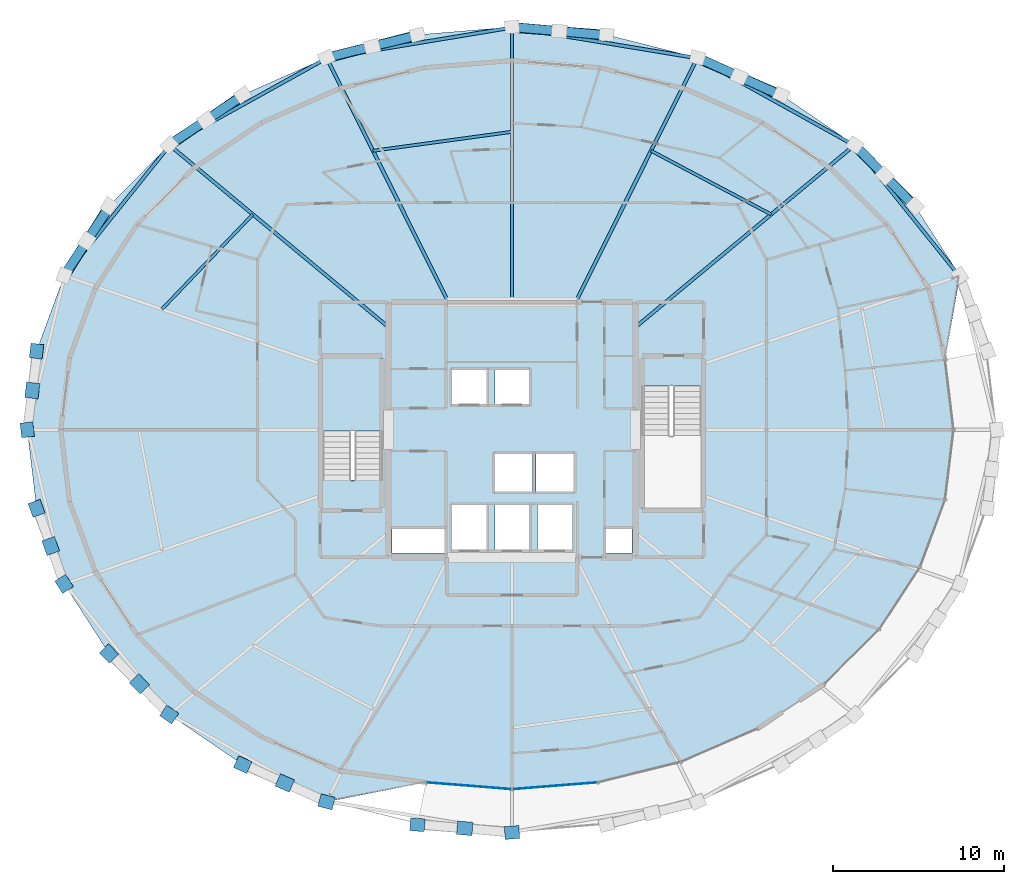
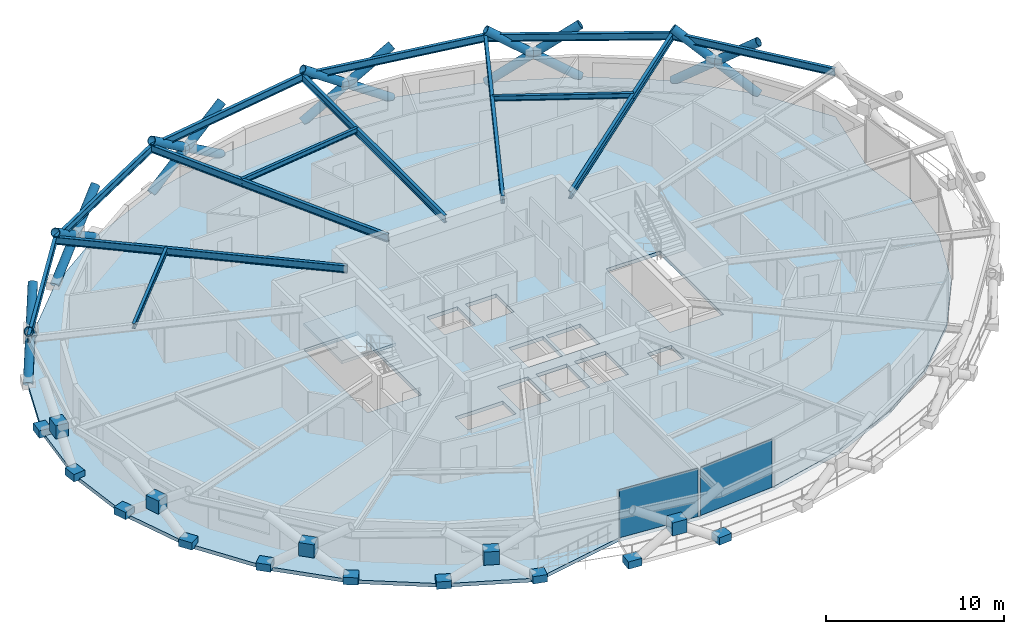
# One storey, part 13 of 20: 18 members, 17 plates, 14 beams, 2 slabs, 2 elements without a shape of their own.
"""IFC4 building model written with IfcOpenShell, lengths in metres."""

import ifcopenshell
import ifcopenshell.guid

model = None  # the IFC model being written
_history = None  # IfcOwnerHistory: only IFC2X3 demands one
_inside = {}  # id of a spatial element -> (the spatial element, [elements in it])
_under = {}  # id of a project, library or spatial element -> (it, [spatial elements below it])
_declared = {}  # id of a project -> (the project, [libraries it declares])
_typed = {}  # id of a type object -> (the type object, [elements of that type])
_made_of = {}  # id of a material, layer set ... -> (it, [elements and type objects made of it])


def new_model(schema):
    """Start an empty IFC model of exactly this schema.

    Asked for "IFC4X3", IfcOpenShell would pick the latest addendum, in which some entities
    have other attributes; the version numbers below select the first issue.
    IFC2X3 requires an IfcOwnerHistory on every rooted entity: one is made here for all.
    """
    global model, _history
    if schema == "IFC4X3":
        model = ifcopenshell.file(schema_version=(4, 3, 0, 0))
    else:
        model = ifcopenshell.file(schema=schema)
    _inside.clear()
    _under.clear()
    _declared.clear()
    _typed.clear()
    _made_of.clear()
    _history = None
    if model.schema == "IFC2X3":
        org = make("IfcOrganization", Name="unknown")
        user = make(
            "IfcPersonAndOrganization",
            ThePerson=make("IfcPerson", FamilyName="unknown"),
            TheOrganization=org,
        )
        app = make(
            "IfcApplication",
            ApplicationDeveloper=org,
            Version="unknown",
            ApplicationFullName="unknown",
            ApplicationIdentifier="unknown",
        )
        _history = make(
            "IfcOwnerHistory",
            OwningUser=user,
            OwningApplication=app,
            ChangeAction="ADDED",
            CreationDate=0,
        )
    return model


def make(cls, **values):
    """One entity of the class cls with the attributes given. An attribute that is None is left unset."""
    return model.create_entity(
        cls, **{name: value for name, value in values.items() if value is not None}
    )


def rooted(cls, **values):
    """An entity with a GlobalId (a new one), such as an element, a storey or a relation."""
    return make(cls, GlobalId=ifcopenshell.guid.new(), OwnerHistory=_history, **values)


def si_unit(unit_type, name, prefix=None):
    """IfcSIUnit, for example si_unit("LENGTHUNIT", "METRE", prefix="MILLI")."""
    return make("IfcSIUnit", UnitType=unit_type, Prefix=prefix, Name=name)


def assignment(units):
    """IfcUnitAssignment: the units of a project."""
    return None if units is None else make("IfcUnitAssignment", Units=units)


def point(xyz):
    """IfcCartesianPoint."""
    return None if xyz is None else make("IfcCartesianPoint", Coordinates=xyz)


def direction(xyz):
    """IfcDirection."""
    return None if xyz is None else make("IfcDirection", DirectionRatios=xyz)


def frame(location, z_axis=None, x_axis=None):
    """IfcAxis2Placement3D, a coordinate frame: its origin and axes. An axis left out is left unset."""
    return make(
        "IfcAxis2Placement3D",
        Location=point(location),
        Axis=direction(z_axis),
        RefDirection=direction(x_axis),
    )


def frame_2d(location, x_axis=None):
    """IfcAxis2Placement2D, a coordinate frame in the plane: its origin and x axis."""
    return make(
        "IfcAxis2Placement2D", Location=point(location), RefDirection=direction(x_axis)
    )


def origin():
    """The frame at (0, 0, 0) with its axes left unset."""
    return frame((0.0, 0.0, 0.0))


def origin_2d():
    """The frame at (0, 0) in the plane with its x axis left unset."""
    return frame_2d((0.0, 0.0))


def place(relative_to, where):
    """IfcLocalPlacement: puts the frame where relative to a parent placement (None: the world)."""
    return make(
        "IfcLocalPlacement", PlacementRelTo=relative_to, RelativePlacement=where
    )


def context(
    kind, dimensions, precision=None, world=None, true_north=None, identifier=None
):
    """IfcGeometricRepresentationContext, for example the 3D "Model" context."""
    return make(
        "IfcGeometricRepresentationContext",
        ContextIdentifier=identifier,
        ContextType=kind,
        CoordinateSpaceDimension=dimensions,
        Precision=precision,
        WorldCoordinateSystem=world,
        TrueNorth=true_north,
    )


def subcontext(parent, identifier, kind, view, scale=None):
    """IfcGeometricRepresentationSubContext, for example "Body" below "Model"."""
    return make(
        "IfcGeometricRepresentationSubContext",
        ContextIdentifier=identifier,
        ContextType=kind,
        ParentContext=parent,
        TargetScale=scale,
        TargetView=view,
    )


def project(units=None, contexts=None):
    """IfcProject with its units and contexts."""
    return rooted(
        "IfcProject",
        Name="project",
        RepresentationContexts=contexts,
        UnitsInContext=assignment(units),
    )


def spatial(cls, under=None, at=None, **own):
    """A site, building, storey or space (cls), placed at a placement, below another one or the project."""
    s = rooted(cls, ObjectPlacement=at, **own)
    if under is not None:
        _under.setdefault(under.id(), (under, []))[1].append(s)
    return s


def polyline(points):
    """IfcPolyline through the points."""
    return make("IfcPolyline", Points=[point(p) for p in points])


def profile(cls, at=None, kind="AREA", **sizes):
    """A parametric profile (cls). Its sizes go by their IFC names, for example OverallWidth=200.0."""
    return make(cls, ProfileType=kind, Position=at, **sizes)


def rectangle(**sizes):
    """IfcRectangleProfileDef."""
    return profile("IfcRectangleProfileDef", **sizes)


def hollow_circle(**sizes):
    """IfcCircleHollowProfileDef."""
    return profile("IfcCircleHollowProfileDef", **sizes)


def i_section(**sizes):
    """IfcIShapeProfileDef."""
    return profile("IfcIShapeProfileDef", **sizes)


def outline(outer, holes=None, kind="AREA"):
    """IfcArbitraryClosedProfileDef: a profile drawn as a closed curve; with holes, ...WithVoids."""
    if holes is None:
        return make("IfcArbitraryClosedProfileDef", ProfileType=kind, OuterCurve=outer)
    return make(
        "IfcArbitraryProfileDefWithVoids",
        ProfileType=kind,
        OuterCurve=outer,
        InnerCurves=holes,
    )


def extrude(swept, where, along, depth):
    """IfcExtrudedAreaSolid: the profile swept, set in the frame where, extruded along a direction by depth."""
    return make(
        "IfcExtrudedAreaSolid",
        SweptArea=swept,
        Position=where,
        ExtrudedDirection=direction(along),
        Depth=depth,
    )


def shape(context_of_items, identifier, shape_type, items):
    """IfcShapeRepresentation: the items that make up one representation, for example the "Body"."""
    return make(
        "IfcShapeRepresentation",
        ContextOfItems=context_of_items,
        RepresentationIdentifier=identifier,
        RepresentationType=shape_type,
        Items=items,
    )


def material(Name=None, Category=None):
    """IfcMaterial."""
    return make("IfcMaterial", Name=Name, Category=Category)


def layer(
    of_material, thickness, ventilated=None, Name=None, Category=None, Priority=None
):
    """IfcMaterialLayer: one layer of a wall or slab, of a material (None: an air gap)."""
    return make(
        "IfcMaterialLayer",
        Material=of_material,
        LayerThickness=thickness,
        IsVentilated=ventilated,
        Name=Name,
        Category=Category,
        Priority=Priority,
    )


def layer_set(layers, Name=None):
    """IfcMaterialLayerSet."""
    return make("IfcMaterialLayerSet", MaterialLayers=layers, LayerSetName=Name)


def material_profile(
    of_material, cross_section, Name=None, Category=None, Priority=None
):
    """IfcMaterialProfile: a cross section and its material."""
    return make(
        "IfcMaterialProfile",
        Name=Name,
        Material=of_material,
        Profile=cross_section,
        Priority=Priority,
        Category=Category,
    )


def profile_set(profiles, Name=None, composite=None):
    """IfcMaterialProfileSet."""
    return make(
        "IfcMaterialProfileSet",
        Name=Name,
        MaterialProfiles=profiles,
        CompositeProfile=composite,
    )


def made_of(thing, what):
    """Note that an element or type object is made of a material, layer set ...; save() writes the relation."""
    if what is not None:
        _made_of.setdefault(what.id(), (what, []))[1].append(thing)
    return thing


def type_object(cls, material=None, **own):
    """A type object (cls), such as IfcWallType, which elements share."""
    return made_of(rooted(cls, **own), material)


def element(
    cls,
    number,
    at=None,
    inside=None,
    cuts=None,
    type_object=None,
    material=None,
    context=None,
    identifier="Body",
    shape_type=None,
    held_by="IfcProductDefinitionShape",
    body=None,
    shapes=None,
    **own,
):
    """One element of the class cls, such as IfcWall. Its Tag is "e" and its number.

    at: its placement. inside: the storey or other place that contains it. cuts: it is an
    opening in that element (IfcRelVoidsElement). A single representation is given by context,
    identifier, shape_type and body (its items); several are given by shapes. held_by: the class
    of the entity that holds the representations. save() writes the other relations.
    """
    e = rooted(cls, Tag="e%d" % number, ObjectPlacement=at, **own)
    if body is not None:
        shapes = [shape(context, identifier, shape_type, body)]
    if shapes is not None:
        e.Representation = make(held_by, Representations=shapes)
    if inside is not None:
        _inside.setdefault(inside.id(), (inside, []))[1].append(e)
    if cuts is not None:
        rooted(
            "IfcRelVoidsElement", RelatingBuildingElement=cuts, RelatedOpeningElement=e
        )
    if type_object is not None:
        _typed.setdefault(type_object.id(), (type_object, []))[1].append(e)
    return made_of(e, material)


def aggregate(whole, parts):
    """IfcRelAggregates: a whole, such as a stair, and the parts it consists of."""
    return rooted("IfcRelAggregates", RelatingObject=whole, RelatedObjects=parts)


def save(model, path):
    """Write the relations noted so far, then the file.

    IfcRelAggregates (storeys below a building ...), IfcRelContainedInSpatialStructure (elements
    in a storey), IfcRelDefinesByType, IfcRelAssociatesMaterial and IfcRelDeclares: one each for
    every whole, place, type object, material and project.
    """
    for whole, parts in _under.values():
        aggregate(whole, parts)
    for where, things in _inside.values():
        rooted(
            "IfcRelContainedInSpatialStructure",
            RelatedElements=things,
            RelatingStructure=where,
        )
    for kind, things in _typed.values():
        rooted("IfcRelDefinesByType", RelatedObjects=things, RelatingType=kind)
    for what, things in _made_of.values():
        rooted("IfcRelAssociatesMaterial", RelatedObjects=things, RelatingMaterial=what)
    for by, libraries in _declared.values():
        rooted("IfcRelDeclares", RelatingContext=by, RelatedDefinitions=libraries)
    model.write(path)


model = new_model("IFC4")

# Units and contexts
model_context = context("Model", 3, precision=1e-05, world=origin(), true_north=direction((0.0, 1.0)))
body_context = subcontext(model_context, "Body", "Model", "MODEL_VIEW")
ifc_project = project(units=[si_unit("LENGTHUNIT", "METRE"), si_unit("AREAUNIT", "SQUARE_METRE"), si_unit("VOLUMEUNIT", "CUBIC_METRE"), si_unit("PLANEANGLEUNIT", "RADIAN"), si_unit("MASSUNIT", "GRAM", prefix="KILO")], contexts=[model_context])

# Site, building, storey
site_placement = place(None, origin())
site = spatial("IfcSite", under=ifc_project, at=site_placement, CompositionType="ELEMENT")
building_placement = place(site_placement, origin())
building = spatial("IfcBuilding", under=site, at=building_placement, Name="Veldorina Hangang Commons", CompositionType="ELEMENT")
storey_placement = place(building_placement, frame((0.0, 0.0, 153.199951171875)))
storey = spatial("IfcBuildingStorey", under=building, at=storey_placement, Name="L39", CompositionType="ELEMENT", Elevation=153.199951171875)

# Beams
ifc_material_1 = material(Name="Steel SM420-TMC", Category="steel")
ifc_material_profile_1 = material_profile(ifc_material_1, i_section(OverallWidth=0.199951171875, OverallDepth=0.5, WebThickness=0.010009765625, FlangeThickness=0.01611328125, FilletRadius=0.01611328125, at=origin_2d()), Name="H-500x200x10x16")
ifc_profile_set_1 = profile_set([ifc_material_profile_1], Name="Steel SM420-TMC")
beam_type_1 = type_object("IfcBeamType", Name="BM-FG500", PredefinedType="BEAM", material=ifc_profile_set_1)
beam_1_placement = place(storey_placement, frame((39.199951171875, 29.9833984375, 3.10009765625), z_axis=(0.769100409171, 0.639127968886, 0.0), x_axis=(-0.639127968886, 0.769100409171, 0.0)))
element("IfcBeam", 1, at=beam_1_placement, inside=storey, type_object=beam_type_1, Name="L39 radial floor girder 03", PredefinedType="BEAM", context=body_context, shape_type="SweptSolid", body=[
    extrude(i_section(OverallWidth=0.199951171875, OverallDepth=0.5, WebThickness=0.010009765625, FlangeThickness=0.01611328125, FilletRadius=0.01611328125, at=origin_2d()), origin(), (0.0, 0.0, 1.0), 16.603271484375),
])
beam_2_placement = place(storey_placement, frame((35.71337890625, 31.449951171875, 3.10009765625), z_axis=(0.446095589368, 0.89498532119, 0.0), x_axis=(-0.89498532119, 0.446095589368, 0.0)))
element("IfcBeam", 2, at=beam_2_placement, inside=storey, type_object=beam_type_1, Name="L39 radial floor girder 04", PredefinedType="BEAM", context=body_context, shape_type="SweptSolid", body=[
    extrude(i_section(OverallWidth=0.199951171875, OverallDepth=0.5, WebThickness=0.010009765625, FlangeThickness=0.01611328125, FilletRadius=0.01611328125, at=origin_2d()), origin(), (0.0, 0.0, 1.0), 15.90234375),
])
beam_3_placement = place(storey_placement, frame((32.0, 31.449951171875, 3.10009765625), z_axis=(0.0, 1.0, 0.0), x_axis=(-1.0, 0.0, 0.0)))
element("IfcBeam", 3, at=beam_3_placement, inside=storey, type_object=beam_type_1, Name="L39 radial floor girder 05", PredefinedType="BEAM", context=body_context, shape_type="SweptSolid", body=[
    extrude(i_section(OverallWidth=0.199951171875, OverallDepth=0.5, WebThickness=0.010009765625, FlangeThickness=0.01611328125, FilletRadius=0.01611328125, at=origin_2d()), origin(), (0.0, 0.0, 1.0), 16.018798828125),
])
beam_4_placement = place(storey_placement, frame((28.28662109375, 31.449951171875, 3.10009765625), z_axis=(-0.446095589368, 0.89498532119, 0.0), x_axis=(-0.89498532119, -0.446095589368, 0.0)))
element("IfcBeam", 4, at=beam_4_placement, inside=storey, type_object=beam_type_1, Name="L39 radial floor girder 06", PredefinedType="BEAM", context=body_context, shape_type="SweptSolid", body=[
    extrude(i_section(OverallWidth=0.199951171875, OverallDepth=0.5, WebThickness=0.010009765625, FlangeThickness=0.01611328125, FilletRadius=0.01611328125, at=origin_2d()), origin(), (0.0, 0.0, 1.0), 15.90234375),
])
beam_5_placement = place(storey_placement, frame((24.800048828125, 29.9833984375, 3.10009765625), z_axis=(-0.769100409171, 0.639127968886, 0.0), x_axis=(-0.639127968886, -0.769100409171, 0.0)))
element("IfcBeam", 5, at=beam_5_placement, inside=storey, type_object=beam_type_1, Name="L39 radial floor girder 07", PredefinedType="BEAM", context=body_context, shape_type="SweptSolid", body=[
    extrude(i_section(OverallWidth=0.199951171875, OverallDepth=0.5, WebThickness=0.010009765625, FlangeThickness=0.01611328125, FilletRadius=0.01611328125, at=origin_2d()), origin(), (0.0, 0.0, 1.0), 16.603271484375),
])
ifc_material_2 = material(Name="Steel SM355-TMC", Category="steel")
ifc_material_profile_2 = material_profile(ifc_material_2, i_section(OverallWidth=0.175048828125, OverallDepth=0.35009765625, WebThickness=0.007080078125, FlangeThickness=0.010986328125, FilletRadius=0.012939453125, at=origin_2d()), Name="H-350x175x7x11")
ifc_profile_set_2 = profile_set([ifc_material_profile_2], Name="Steel SM355-TMC")
beam_type_2 = type_object("IfcBeamType", Name="BM-JST350", PredefinedType="JOIST", material=ifc_profile_set_2)
beam_6_placement = place(storey_placement, frame((47.1171875, 36.5625, 3.175048828125), z_axis=(-0.88363430945, 0.468177751675, 0.0), x_axis=(-0.468177751675, -0.88363430945, 0.0)))
element("IfcBeam", 6, at=beam_6_placement, inside=storey, type_object=beam_type_2, Name="L39 secondary floor joist 03", PredefinedType="JOIST", context=body_context, shape_type="SweptSolid", body=[
    extrude(i_section(OverallWidth=0.175048828125, OverallDepth=0.35009765625, WebThickness=0.007080078125, FlangeThickness=0.010986328125, FilletRadius=0.012939453125, at=origin_2d()), origin(), (0.0, 0.0, 1.0), 7.927978515625),
])
beam_7_placement = place(storey_placement, frame((32.0, 41.381591796875, 3.175048828125), z_axis=(-0.990809469728, -0.135264905637, 0.0), x_axis=(0.135264905637, -0.990809469728, 0.0)))
element("IfcBeam", 7, at=beam_7_placement, inside=storey, type_object=beam_type_2, Name="L39 secondary floor joist 05", PredefinedType="JOIST", context=body_context, shape_type="SweptSolid", body=[
    extrude(i_section(OverallWidth=0.175048828125, OverallDepth=0.35009765625, WebThickness=0.007080078125, FlangeThickness=0.010986328125, FilletRadius=0.012939453125, at=origin_2d()), origin(), (0.0, 0.0, 1.0), 8.18701171875),
])
beam_8_placement = place(storey_placement, frame((16.8828125, 36.5625, 3.175048828125), z_axis=(-0.692338904771, -0.721572477954, 0.0), x_axis=(0.721572477954, -0.692338904771, 0.0)))
element("IfcBeam", 8, at=beam_8_placement, inside=storey, type_object=beam_type_2, Name="L39 secondary floor joist 07", PredefinedType="JOIST", context=body_context, shape_type="SweptSolid", body=[
    extrude(i_section(OverallWidth=0.175048828125, OverallDepth=0.35009765625, WebThickness=0.007080078125, FlangeThickness=0.010986328125, FilletRadius=0.012939453125, at=origin_2d()), origin(), (0.0, 0.0, 1.0), 7.66650390625),
])
ifc_material_profile_3 = material_profile(ifc_material_1, i_section(OverallWidth=0.199951171875, OverallDepth=0.5, WebThickness=0.010009765625, FlangeThickness=0.01611328125, FilletRadius=0.01611328125, at=origin_2d()), Name="H-500x200x10x16")
ifc_profile_set_3 = profile_set([ifc_material_profile_3], Name="Steel SM420-TMC")
beam_type_3 = type_object("IfcBeamType", Name="BM-RB500", PredefinedType="BEAM", material=ifc_profile_set_3)
beam_9_placement = place(storey_placement, frame((58.091552734375, 32.981201171875, 3.10009765625), z_axis=(-0.626631316579, 0.779315849372, 0.0), x_axis=(-0.779315849372, -0.626631316579, 0.0)))
element("IfcBeam", 9, at=beam_9_placement, inside=storey, type_object=beam_type_3, Name="L39 perimeter hoop ring beam 02", PredefinedType="BEAM", context=body_context, shape_type="SweptSolid", body=[
    extrude(i_section(OverallWidth=0.199951171875, OverallDepth=0.5, WebThickness=0.010009765625, FlangeThickness=0.01611328125, FilletRadius=0.01611328125, at=origin_2d()), origin(), (0.0, 0.0, 1.0), 9.769775390625),
])
beam_10_placement = place(storey_placement, frame((51.969482421875, 40.594970703125, 3.10009765625), z_axis=(-0.874264945245, 0.48544907613, 0.0), x_axis=(-0.48544907613, -0.874264945245, 0.0)))
element("IfcBeam", 10, at=beam_10_placement, inside=storey, type_object=beam_type_3, Name="L39 perimeter hoop ring beam 04", PredefinedType="BEAM", context=body_context, shape_type="SweptSolid", body=[
    extrude(i_section(OverallWidth=0.199951171875, OverallDepth=0.5, WebThickness=0.010009765625, FlangeThickness=0.01611328125, FilletRadius=0.01611328125, at=origin_2d()), origin(), (0.0, 0.0, 1.0), 10.479736328125),
])
for number, where, z_axis, x_axis, name in (
    (11, (42.807373046875, 45.682373046875, 3.10009765625), (-0.986612907573, 0.163079644989, 0.0), (-0.163079644989, -0.986612907573, 0.0), "L39 perimeter hoop ring beam 06"),
    (12, (32.0, 47.46875, 3.10009765625), (-0.986612907573, -0.163079644989, 0.0), (0.163079644989, -0.986612907573, 0.0), "L39 perimeter hoop ring beam 08"),
):
    element("IfcBeam", number, at=place(storey_placement, frame(where, z_axis=z_axis, x_axis=x_axis)), inside=storey, type_object=beam_type_3, Name=name, PredefinedType="BEAM", context=body_context, shape_type="SweptSolid", body=[
        extrude(i_section(OverallWidth=0.199951171875, OverallDepth=0.5, WebThickness=0.010009765625, FlangeThickness=0.01611328125, FilletRadius=0.01611328125, at=origin_2d()), origin(), (0.0, 0.0, 1.0), 10.9541015625),
    ])
beam_11_placement = place(storey_placement, frame((21.192626953125, 45.682373046875, 3.10009765625), z_axis=(-0.874264945245, -0.48544907613, 0.0), x_axis=(0.48544907613, -0.874264945245, 0.0)))
element("IfcBeam", 13, at=beam_11_placement, inside=storey, type_object=beam_type_3, Name="L39 perimeter hoop ring beam 10", PredefinedType="BEAM", context=body_context, shape_type="SweptSolid", body=[
    extrude(i_section(OverallWidth=0.199951171875, OverallDepth=0.5, WebThickness=0.010009765625, FlangeThickness=0.01611328125, FilletRadius=0.01611328125, at=origin_2d()), origin(), (0.0, 0.0, 1.0), 10.479736328125),
])
beam_12_placement = place(storey_placement, frame((12.030517578125, 40.594970703125, 3.10009765625), z_axis=(-0.626631316579, -0.779315849372, 0.0), x_axis=(0.779315849372, -0.626631316579, 0.0)))
element("IfcBeam", 14, at=beam_12_placement, inside=storey, type_object=beam_type_3, Name="L39 perimeter hoop ring beam 12", PredefinedType="BEAM", context=body_context, shape_type="SweptSolid", body=[
    extrude(i_section(OverallWidth=0.199951171875, OverallDepth=0.5, WebThickness=0.010009765625, FlangeThickness=0.01611328125, FilletRadius=0.01611328125, at=origin_2d()), origin(), (0.0, 0.0, 1.0), 9.769775390625),
])

# Members
ifc_material_profile_4 = material_profile(ifc_material_1, hollow_circle(Radius=0.27490234375, WallThickness=0.028076171875, at=origin_2d()), Name="CHS-550x28")
ifc_profile_set_4 = profile_set([ifc_material_profile_4], Name="Steel SM420-TMC")
member_type = type_object("IfcMemberType", Name="DG-CHS550", PredefinedType="BRACE", material=ifc_profile_set_4)
member_1_placement = place(storey_placement, frame((55.514404296875, 37.053955078125, 0.0), z_axis=(-0.575210249469, 0.573350648305, 0.583439973771), x_axis=(-0.705961000098, -0.708250708676, 0.0)))
element("IfcMember", 15, at=member_1_placement, inside=storey, type_object=member_type, Name="L39 continuous perimeter diagrid brace 03", PredefinedType="BRACE", context=body_context, shape_type="SweptSolid", body=[
    extrude(hollow_circle(Radius=0.27490234375, WallThickness=0.028076171875, at=origin_2d()), origin(), (0.0, 0.0, 1.0), 6.17041015625),
])
member_2_placement = place(storey_placement, frame((51.997314453125, 40.614501953125, 0.0), z_axis=(0.565474245476, -0.58141091448, 0.584978825452), x_axis=(0.716863255814, 0.697213792508, 0.0)))
element("IfcMember", 16, at=member_2_placement, inside=storey, type_object=member_type, Name="L39 split perimeter diagrid lower brace 04", PredefinedType="BRACE", context=body_context, shape_type="SweptSolid", body=[
    extrude(hollow_circle(Radius=0.27490234375, WallThickness=0.028076171875, at=origin_2d()), origin(), (0.0, 0.0, 1.0), 3.0791015625),
])
member_3_placement = place(storey_placement, frame((53.738525390625, 38.82421875, 1.80126953125), z_axis=(0.565269665838, -0.581547272453, 0.585041002654), x_axis=(0.71707103424, 0.697000094587, 0.0)))
element("IfcMember", 17, at=member_3_placement, inside=storey, type_object=member_type, Name="L39 split perimeter diagrid upper brace 04", PredefinedType="BRACE", context=body_context, shape_type="SweptSolid", body=[
    extrude(hollow_circle(Radius=0.27490234375, WallThickness=0.028076171875, at=origin_2d()), origin(), (0.0, 0.0, 1.0), 3.07470703125),
])
member_4_placement = place(storey_placement, frame((47.7119140625, 43.53662109375, 0.0), z_axis=(-0.760561008144, 0.331938960319, 0.557999533614), x_axis=(-0.400002958915, -0.916513847609, 0.0)))
element("IfcMember", 18, at=member_4_placement, inside=storey, type_object=member_type, Name="L39 continuous perimeter diagrid brace 05", PredefinedType="BRACE", context=body_context, shape_type="SweptSolid", body=[
    extrude(hollow_circle(Radius=0.27490234375, WallThickness=0.028076171875, at=origin_2d()), origin(), (0.0, 0.0, 1.0), 6.451904296875),
])
member_5_placement = place(storey_placement, frame((42.822509765625, 45.707763671875, 0.0), z_axis=(0.75552733476, -0.341313451932, 0.559181163811), x_axis=(0.411694479572, 0.911321927471, 0.0)))
element("IfcMember", 19, at=member_5_placement, inside=storey, type_object=member_type, Name="L39 split perimeter diagrid lower brace 06", PredefinedType="BRACE", context=body_context, shape_type="SweptSolid", body=[
    extrude(hollow_circle(Radius=0.27490234375, WallThickness=0.028076171875, at=origin_2d()), origin(), (0.0, 0.0, 1.0), 3.2216796875),
])
member_6_placement = place(storey_placement, frame((45.256591796875, 44.608154296875, 1.801513671875), z_axis=(0.755475784233, -0.341417670801, 0.559187190038), x_axis=(0.411822208126, 0.911264214646, 0.0)))
element("IfcMember", 20, at=member_6_placement, inside=storey, type_object=member_type, Name="L39 split perimeter diagrid upper brace 06", PredefinedType="BRACE", context=body_context, shape_type="SweptSolid", body=[
    extrude(hollow_circle(Radius=0.27490234375, WallThickness=0.028076171875, at=origin_2d()), origin(), (0.0, 0.0, 1.0), 3.21630859375),
])
member_7_placement = place(storey_placement, frame((37.517333984375, 47.044921875, 0.0), z_axis=(-0.83579084613, 0.063537708467, 0.545359167089), x_axis=(-0.075802339917, -0.997122863675, 0.0)))
element("IfcMember", 21, at=member_7_placement, inside=storey, type_object=member_type, Name="L39 continuous perimeter diagrid brace 07", PredefinedType="BRACE", context=body_context, shape_type="SweptSolid", body=[
    extrude(hollow_circle(Radius=0.27490234375, WallThickness=0.028076171875, at=origin_2d()), origin(), (0.0, 0.0, 1.0), 6.601318359375),
])
member_8_placement = place(storey_placement, frame((32.0, 47.496337890625, 0.0), z_axis=(0.834827508672, -0.073130593984, 0.545632611735), x_axis=(0.087265461192, 0.996185092883, 0.0)))
element("IfcMember", 22, at=member_8_placement, inside=storey, type_object=member_type, Name="L39 split perimeter diagrid lower brace 08", PredefinedType="BRACE", context=body_context, shape_type="SweptSolid", body=[
    extrude(hollow_circle(Radius=0.27490234375, WallThickness=0.028076171875, at=origin_2d()), origin(), (0.0, 0.0, 1.0), 3.3017578125),
])
member_9_placement = place(storey_placement, frame((34.75634765625, 47.2548828125, 1.801513671875), z_axis=(0.834828315671, -0.073247445369, 0.545615702763), x_axis=(0.087403749692, 0.996172969187, 0.0)))
element("IfcMember", 23, at=member_9_placement, inside=storey, type_object=member_type, Name="L39 split perimeter diagrid upper brace 08", PredefinedType="BRACE", context=body_context, shape_type="SweptSolid", body=[
    extrude(hollow_circle(Radius=0.27490234375, WallThickness=0.028076171875, at=origin_2d()), origin(), (0.0, 0.0, 1.0), 3.29638671875),
])
member_10_placement = place(storey_placement, frame((26.482666015625, 47.044921875, 0.0), z_axis=(-0.808353213458, -0.20893717282, 0.55037291004), x_axis=(0.250248448424, -0.968181653442, 0.0)))
element("IfcMember", 24, at=member_10_placement, inside=storey, type_object=member_type, Name="L39 continuous perimeter diagrid brace 09", PredefinedType="BRACE", context=body_context, shape_type="SweptSolid", body=[
    extrude(hollow_circle(Radius=0.27490234375, WallThickness=0.028076171875, at=origin_2d()), origin(), (0.0, 0.0, 1.0), 6.541259765625),
])
member_11_placement = place(storey_placement, frame((21.177490234375, 45.707763671875, 0.0), z_axis=(0.811286924094, 0.199320951972, 0.549622311136), x_axis=(-0.238589643591, 0.971120477578, 0.0)))
element("IfcMember", 25, at=member_11_placement, inside=storey, type_object=member_type, Name="L39 split perimeter diagrid lower brace 10", PredefinedType="BRACE", context=body_context, shape_type="SweptSolid", body=[
    extrude(hollow_circle(Radius=0.27490234375, WallThickness=0.028076171875, at=origin_2d()), origin(), (0.0, 0.0, 1.0), 3.27783203125),
])
member_12_placement = place(storey_placement, frame((23.836669921875, 46.361083984375, 1.801513671875), z_axis=(0.811300860289, 0.199337553903, 0.549595718414), x_axis=(-0.238604519553, 0.971116822658, 0.0)))
element("IfcMember", 26, at=member_12_placement, inside=storey, type_object=member_type, Name="L39 split perimeter diagrid upper brace 10", PredefinedType="BRACE", context=body_context, shape_type="SweptSolid", body=[
    extrude(hollow_circle(Radius=0.27490234375, WallThickness=0.028076171875, at=origin_2d()), origin(), (0.0, 0.0, 1.0), 3.2724609375),
])
member_13_placement = place(storey_placement, frame((16.2880859375, 43.53662109375, 0.0), z_axis=(-0.674833436721, -0.467243035057, 0.571212551397), x_axis=(0.569251697423, -0.822163307976, 0.0)))
element("IfcMember", 27, at=member_13_placement, inside=storey, type_object=member_type, Name="L39 continuous perimeter diagrid brace 11", PredefinedType="BRACE", context=body_context, shape_type="SweptSolid", body=[
    extrude(hollow_circle(Radius=0.27490234375, WallThickness=0.028076171875, at=origin_2d()), origin(), (0.0, 0.0, 1.0), 6.302490234375),
])
member_14_placement = place(storey_placement, frame((12.002685546875, 40.614501953125, 0.0), z_axis=(0.682270782142, 0.458115951839, 0.569768685087), x_axis=(-0.55745084084, 0.830209949378, 0.0)))
element("IfcMember", 28, at=member_14_placement, inside=storey, type_object=member_type, Name="L39 split perimeter diagrid lower brace 12", PredefinedType="BRACE", context=body_context, shape_type="SweptSolid", body=[
    extrude(hollow_circle(Radius=0.27490234375, WallThickness=0.028076171875, at=origin_2d()), origin(), (0.0, 0.0, 1.0), 3.161865234375),
])
member_15_placement = place(storey_placement, frame((14.159912109375, 42.06298828125, 1.801513671875), z_axis=(0.682156504756, 0.458354109929, 0.569713974667), x_axis=(-0.55771489936, 0.830032584319, 0.0)))
element("IfcMember", 29, at=member_15_placement, inside=storey, type_object=member_type, Name="L39 split perimeter diagrid upper brace 12", PredefinedType="BRACE", context=body_context, shape_type="SweptSolid", body=[
    extrude(hollow_circle(Radius=0.27490234375, WallThickness=0.028076171875, at=origin_2d()), origin(), (0.0, 0.0, 1.0), 3.156982421875),
])
member_16_placement = place(storey_placement, frame((8.485595703125, 37.053955078125, 0.0), z_axis=(-0.4275193403, -0.677446854374, 0.598575787321), x_axis=(0.845681505702, -0.533687915277, 0.0)))
element("IfcMember", 30, at=member_16_placement, inside=storey, type_object=member_type, Name="L39 continuous perimeter diagrid brace 13", PredefinedType="BRACE", context=body_context, shape_type="SweptSolid", body=[
    extrude(hollow_circle(Radius=0.27490234375, WallThickness=0.028076171875, at=origin_2d()), origin(), (0.0, 0.0, 1.0), 6.014404296875),
])
member_17_placement = place(storey_placement, frame((5.8720703125, 32.99169921875, 0.0), z_axis=(0.439875457977, 0.670779723223, 0.597129922531), x_axis=(-0.836232990002, 0.548374312338, 0.0)))
element("IfcMember", 31, at=member_17_placement, inside=storey, type_object=member_type, Name="L39 split perimeter diagrid lower brace 14", PredefinedType="BRACE", context=body_context, shape_type="SweptSolid", body=[
    extrude(hollow_circle(Radius=0.27490234375, WallThickness=0.028076171875, at=origin_2d()), origin(), (0.0, 0.0, 1.0), 3.0166015625),
])
member_18_placement = place(storey_placement, frame((7.198974609375, 35.01513671875, 1.80126953125), z_axis=(0.439673814146, 0.670897665161, 0.597145928594), x_axis=(-0.836392447443, 0.548131073614, 0.0)))
element("IfcMember", 32, at=member_18_placement, inside=storey, type_object=member_type, Name="L39 split perimeter diagrid upper brace 14", PredefinedType="BRACE", context=body_context, shape_type="SweptSolid", body=[
    extrude(hollow_circle(Radius=0.27490234375, WallThickness=0.028076171875, at=origin_2d()), origin(), (0.0, 0.0, 1.0), 3.012451171875),
])

# Curtain wall, plates
ifc_material_3 = material(Name="Glass Low-E Triple IGU", Category="glass")
ifc_layer_1 = layer(ifc_material_3, 0.179931640625)
ifc_layer_set_1 = layer_set([ifc_layer_1], Name="Glass Low-E Triple IGU")
curtain_wall_type = type_object("IfcCurtainWallType", Name="CW-SYS-Z2", PredefinedType="NOTDEFINED", material=ifc_layer_set_1)
curtain_wall_placement = place(storey_placement, origin())
curtain_wall = element("IfcCurtainWall", 33, at=curtain_wall_placement, inside=storey, type_object=curtain_wall_type, Name="L39 unitised curtain wall CW-L39-R1", PredefinedType="NOTDEFINED")
ifc_layer_2 = layer(ifc_material_3, 0.0400390625)
ifc_layer_set_2 = layer_set([ifc_layer_2], Name="Glass Low-E Triple IGU")
plate_type_1 = type_object("IfcPlateType", Name="CW-PNL-VIS", PredefinedType="CURTAIN_PANEL", material=ifc_layer_set_2)
plate_1_placement = place(storey_placement, frame((29.4873046875, 3.22509765625, 0.01513671875), z_axis=(0.0, 0.0, 1.0), x_axis=(0.996798444994, -0.07995536291, 0.0)))
plate_1 = element("IfcPlate", 34, at=plate_1_placement, type_object=plate_type_1, Name="CW-L39-R1 facet 1 glazed vision panel", PredefinedType="CURTAIN_PANEL", context=body_context, shape_type="SweptSolid", body=[
    extrude(rectangle(XDim=4.86181640625, YDim=0.0400390625, at=origin_2d()), origin(), (0.0, 0.0, 1.0), 3.280029296875),
])
plate_2_placement = place(storey_placement, frame((34.5126953125, 3.22509765625, 0.01513671875), z_axis=(0.0, 0.0, 1.0), x_axis=(0.996798444994, 0.07995536291, 0.0)))
plate_2 = element("IfcPlate", 35, at=plate_2_placement, type_object=plate_type_1, Name="CW-L39-R1 facet 2 glazed vision panel", PredefinedType="CURTAIN_PANEL", context=body_context, shape_type="SweptSolid", body=[
    extrude(rectangle(XDim=4.86181640625, YDim=0.0400390625, at=origin_2d()), origin(), (0.0, 0.0, 1.0), 3.280029296875),
])
aggregate(curtain_wall, [plate_1, plate_2])

# Plates
ifc_material_4 = material(Name="Steel SM460-TMC", Category="steel")
ifc_layer_3 = layer(ifc_material_4, 0.035888671875)
ifc_layer_set_3 = layer_set([ifc_layer_3], Name="Steel SM460-TMC")
plate_type_2 = type_object("IfcPlateType", Name="PL-STAR-36", PredefinedType="USERDEFINED", material=ifc_layer_set_3)
plate_3_placement = place(storey_placement, frame((4.2626953125, 28.583984375, -0.08984375), z_axis=(0.0, 0.0, 1.0), x_axis=(-0.117728050748, -0.993045873093, 0.0)))
element("IfcPlate", 36, at=plate_3_placement, inside=storey, type_object=plate_type_2, Name="L39 diagrid star-node gusset plate 15", ObjectType="GUSSET PLATE", PredefinedType="USERDEFINED", context=body_context, shape_type="SweptSolid", body=[
    extrude(rectangle(XDim=0.85009765625, YDim=0.75, at=origin_2d()), origin(), (0.0, 0.0, 1.0), 0.5),
])
plate_4_placement = place(storey_placement, frame((4.013916015625, 26.290283203125, 1.351318359375), z_axis=(0.0, 0.0, 1.0), x_axis=(-0.117728050748, -0.993045873093, 0.0)))
element("IfcPlate", 37, at=plate_4_placement, inside=storey, type_object=plate_type_2, Name="L39 diagrid X-crossing star-node gusset plate 15", ObjectType="GUSSET PLATE", PredefinedType="USERDEFINED", context=body_context, shape_type="SweptSolid", body=[
    extrude(rectangle(XDim=0.89990234375, YDim=0.780029296875, at=origin_2d()), origin(), (0.0, 0.0, 1.0), 0.89990234375),
])
for number, where, z_axis, x_axis, name in (
    (38, (3.719482421875, 24.0, -0.08984375), (0.0, 0.0, 1.0), (0.117728050748, -0.993045873093, 0.0), "L39 diagrid star-node gusset plate 16"),
    (39, (4.2626953125, 19.416015625, -0.08984375), (0.0, 0.0, 1.0), (0.342954815543, -0.939351901311, 0.0), "L39 diagrid star-node gusset plate 17"),
):
    element("IfcPlate", number, at=place(storey_placement, frame(where, z_axis=z_axis, x_axis=x_axis)), inside=storey, type_object=plate_type_2, Name=name, ObjectType="GUSSET PLATE", PredefinedType="USERDEFINED", context=body_context, shape_type="SweptSolid", body=[
        extrude(rectangle(XDim=0.85009765625, YDim=0.75, at=origin_2d()), origin(), (0.0, 0.0, 1.0), 0.5),
    ])
plate_5_placement = place(storey_placement, frame((5.089111328125, 17.216796875, 1.351318359375), z_axis=(0.0, 0.0, 1.0), x_axis=(0.342954815543, -0.939351901311, 0.0)))
element("IfcPlate", 40, at=plate_5_placement, inside=storey, type_object=plate_type_2, Name="L39 diagrid X-crossing star-node gusset plate 17", ObjectType="GUSSET PLATE", PredefinedType="USERDEFINED", context=body_context, shape_type="SweptSolid", body=[
    extrude(rectangle(XDim=0.89990234375, YDim=0.780029296875, at=origin_2d()), origin(), (0.0, 0.0, 1.0), 0.89990234375),
])
for number, where, z_axis, x_axis, name in (
    (41, (5.8720703125, 15.00830078125, -0.08984375), (0.0, 0.0, 1.0), (0.541047863808, -0.840991800834, 0.0), "L39 diagrid star-node gusset plate 18"),
    (42, (8.485595703125, 10.946044921875, -0.08984375), (0.0, 0.0, 1.0), (0.702749312072, -0.71143756183, 0.0), "L39 diagrid star-node gusset plate 19"),
):
    element("IfcPlate", number, at=place(storey_placement, frame(where, z_axis=z_axis, x_axis=x_axis)), inside=storey, type_object=plate_type_2, Name=name, ObjectType="GUSSET PLATE", PredefinedType="USERDEFINED", context=body_context, shape_type="SweptSolid", body=[
        extrude(rectangle(XDim=0.85009765625, YDim=0.75, at=origin_2d()), origin(), (0.0, 0.0, 1.0), 0.5),
    ])
plate_6_placement = place(storey_placement, frame((10.261474609375, 9.17578125, 1.351318359375), z_axis=(0.0, 0.0, 1.0), x_axis=(0.702749312072, -0.71143756183, 0.0)))
element("IfcPlate", 43, at=plate_6_placement, inside=storey, type_object=plate_type_2, Name="L39 diagrid X-crossing star-node gusset plate 19", ObjectType="GUSSET PLATE", PredefinedType="USERDEFINED", context=body_context, shape_type="SweptSolid", body=[
    extrude(rectangle(XDim=0.89990234375, YDim=0.780029296875, at=origin_2d()), origin(), (0.0, 0.0, 1.0), 0.89990234375),
])
for number, where, z_axis, x_axis, name in (
    (44, (12.002685546875, 7.385498046875, -0.08984375), (0.0, 0.0, 1.0), (0.826226133235, -0.563338598677, 0.0), "L39 diagrid star-node gusset plate 20"),
    (45, (16.2880859375, 4.46337890625, -0.08984375), (0.0, 0.0, 1.0), (0.91393547583, -0.405859515128, 0.0), "L39 diagrid star-node gusset plate 21"),
):
    element("IfcPlate", number, at=place(storey_placement, frame(where, z_axis=z_axis, x_axis=x_axis)), inside=storey, type_object=plate_type_2, Name=name, ObjectType="GUSSET PLATE", PredefinedType="USERDEFINED", context=body_context, shape_type="SweptSolid", body=[
        extrude(rectangle(XDim=0.85009765625, YDim=0.75, at=origin_2d()), origin(), (0.0, 0.0, 1.0), 0.5),
    ])
plate_7_placement = place(storey_placement, frame((18.743408203125, 3.391845703125, 1.3515625), z_axis=(0.0, 0.0, 1.0), x_axis=(0.91393547583, -0.405859515128, 0.0)))
element("IfcPlate", 46, at=plate_7_placement, inside=storey, type_object=plate_type_2, Name="L39 diagrid X-crossing star-node gusset plate 21", ObjectType="GUSSET PLATE", PredefinedType="USERDEFINED", context=body_context, shape_type="SweptSolid", body=[
    extrude(rectangle(XDim=0.89990234375, YDim=0.780029296875, at=origin_2d()), origin(), (0.0, 0.0, 1.0), 0.89990234375),
])
for number, where, z_axis, x_axis, name in (
    (47, (21.177490234375, 2.292236328125, -0.08984375), (0.0, 0.0, 1.0), (0.969676116063, -0.244393596348, 0.0), "L39 diagrid star-node gusset plate 22"),
    (48, (26.482666015625, 0.955078125, -0.08984375), (0.0, 0.0, 1.0), (0.996668775476, -0.081555821314, 0.0), "L39 diagrid star-node gusset plate 23"),
):
    element("IfcPlate", number, at=place(storey_placement, frame(where, z_axis=z_axis, x_axis=x_axis)), inside=storey, type_object=plate_type_2, Name=name, ObjectType="GUSSET PLATE", PredefinedType="USERDEFINED", context=body_context, shape_type="SweptSolid", body=[
        extrude(rectangle(XDim=0.85009765625, YDim=0.75, at=origin_2d()), origin(), (0.0, 0.0, 1.0), 0.5),
    ])
plate_8_placement = place(storey_placement, frame((29.24365234375, 0.7451171875, 1.3515625), z_axis=(0.0, 0.0, 1.0), x_axis=(0.996668775476, -0.081555821314, 0.0)))
element("IfcPlate", 49, at=plate_8_placement, inside=storey, type_object=plate_type_2, Name="L39 diagrid X-crossing star-node gusset plate 23", ObjectType="GUSSET PLATE", PredefinedType="USERDEFINED", context=body_context, shape_type="SweptSolid", body=[
    extrude(rectangle(XDim=0.89990234375, YDim=0.780029296875, at=origin_2d()), origin(), (0.0, 0.0, 1.0), 0.89990234375),
])
plate_9_placement = place(storey_placement, frame((32.0, 0.503662109375, -0.08984375), z_axis=(0.0, 0.0, 1.0), x_axis=(0.996668775476, 0.081555821314, 0.0)))
element("IfcPlate", 50, at=plate_9_placement, inside=storey, type_object=plate_type_2, Name="L39 diagrid star-node gusset plate 24", ObjectType="GUSSET PLATE", PredefinedType="USERDEFINED", context=body_context, shape_type="SweptSolid", body=[
    extrude(rectangle(XDim=0.85009765625, YDim=0.75, at=origin_2d()), origin(), (0.0, 0.0, 1.0), 0.5),
])

# Slab
ifc_material_5 = material(Name="Concrete C40/50", Category="concrete")
ifc_layer_4 = layer(ifc_material_5, 0.25)
ifc_layer_set_4 = layer_set([ifc_layer_4], Name="Concrete C40/50")
slab_type_1 = type_object("IfcSlabType", Name="SL-FLR-250", PredefinedType="FLOOR", material=ifc_layer_set_4)
slab_1_placement = place(storey_placement, frame((0.0, 0.0, -0.25)))
element("IfcSlab", 51, at=slab_1_placement, inside=storey, type_object=slab_type_1, Name="L39 tower structural floor slab", PredefinedType="FLOOR", context=body_context, shape_type="SweptSolid", body=[
    extrude(outline(polyline([(57.760498046875, 24.0), (57.265625, 28.09228515625), (58.1279296875, 32.99169921875), (55.514404296875, 37.053955078125), (51.997314453125, 40.614501953125), (47.7119140625, 43.53662109375), (42.822509765625, 45.707763671875), (37.517333984375, 47.044921875), (32.0, 47.496337890625), (26.482666015625, 47.044921875), (21.177490234375, 45.707763671875), (16.2880859375, 43.53662109375), (12.002685546875, 40.614501953125), (8.485595703125, 37.053955078125), (5.8720703125, 32.99169921875), (4.2626953125, 28.583984375), (3.719482421875, 24.0), (4.2626953125, 19.416015625), (5.8720703125, 15.00830078125), (8.485595703125, 10.946044921875), (12.002685546875, 7.385498046875), (16.2880859375, 4.46337890625), (21.177490234375, 2.292236328125), (26.974365234375, 3.4267578125), (32.0, 3.023681640625), (37.025634765625, 3.4267578125), (41.858154296875, 4.620361328125), (46.311767578125, 6.558837890625), (50.215576171875, 9.16748046875), (53.419189453125, 12.34619140625), (55.7998046875, 15.97265625), (57.265625, 19.90771484375), (57.760498046875, 24.0)]), holes=[polyline([(20.949951171875, 21.05810546875), (20.949951171875, 28.199951171875), (24.449951171875, 28.199951171875), (24.449951171875, 21.05810546875), (20.949951171875, 21.05810546875)]), polyline([(43.050048828125, 26.5419921875), (43.050048828125, 19.39990234375), (39.550048828125, 19.39990234375), (39.550048828125, 26.5419921875), (43.050048828125, 26.5419921875)]), polyline([(28.5, 27.5), (30.5, 27.5), (30.5, 25.5), (28.5, 25.5), (28.5, 27.5)]), polyline([(31.0, 27.5), (33.0, 27.5), (33.0, 25.5), (31.0, 25.5), (31.0, 27.5)]), polyline([(31.0, 22.60009765625), (33.199951171875, 22.60009765625), (33.199951171875, 20.39990234375), (31.0, 20.39990234375), (31.0, 22.60009765625)]), polyline([(33.39990234375, 22.60009765625), (35.60009765625, 22.60009765625), (35.60009765625, 20.39990234375), (33.39990234375, 20.39990234375), (33.39990234375, 22.60009765625)]), polyline([(28.5, 19.60009765625), (30.5, 19.60009765625), (30.5, 17.0), (28.5, 17.0), (28.5, 19.60009765625)]), polyline([(31.0, 19.60009765625), (33.0, 19.60009765625), (33.0, 17.0), (31.0, 17.0), (31.0, 19.60009765625)]), polyline([(33.5, 19.60009765625), (35.5, 19.60009765625), (35.5, 17.0), (33.5, 17.0), (33.5, 19.60009765625)]), polyline([(25.0, 18.25), (28.10009765625, 18.25), (28.10009765625, 16.800048828125), (25.0, 16.800048828125), (25.0, 18.25)]), polyline([(37.449951171875, 18.25), (39.0, 18.25), (39.0, 16.800048828125), (37.449951171875, 16.800048828125), (37.449951171875, 18.25)])]), origin(), (0.0, 0.0, 1.0), 0.25),
])

# Stair, slab
stair_type = type_object("IfcStairType", Name="STR-DOG-1650-20R", PredefinedType="HALF_TURN_STAIR", material=ifc_material_5)
stair_placement = place(storey_placement, origin())
stair = element("IfcStair", 52, at=stair_placement, inside=storey, type_object=stair_type, Name="L39 Exit stair ST-1", PredefinedType="HALF_TURN_STAIR")
ifc_layer_5 = layer(ifc_material_5, 0.199951171875)
ifc_layer_set_5 = layer_set([ifc_layer_5], Name="Concrete C40/50")
slab_type_2 = type_object("IfcSlabType", Name="SL-LND-200", PredefinedType="LANDING", material=ifc_layer_set_5)
slab_2_placement = place(storey_placement, frame((0.0, 0.0, 1.60009765625)))
slab_2 = element("IfcSlab", 53, at=slab_2_placement, type_object=slab_type_2, Name="ST-1 landing 1", PredefinedType="LANDING", context=body_context, shape_type="SweptSolid", body=[
    extrude(outline(polyline([(24.449951171875, 23.929931640625), (24.449951171875, 28.199951171875), (20.949951171875, 28.199951171875), (20.949951171875, 23.929931640625), (24.449951171875, 23.929931640625)])), origin(), (0.0, 0.0, 1.0), 0.199951171875),
])
aggregate(stair, [slab_2])

save(model, "model.ifc")
